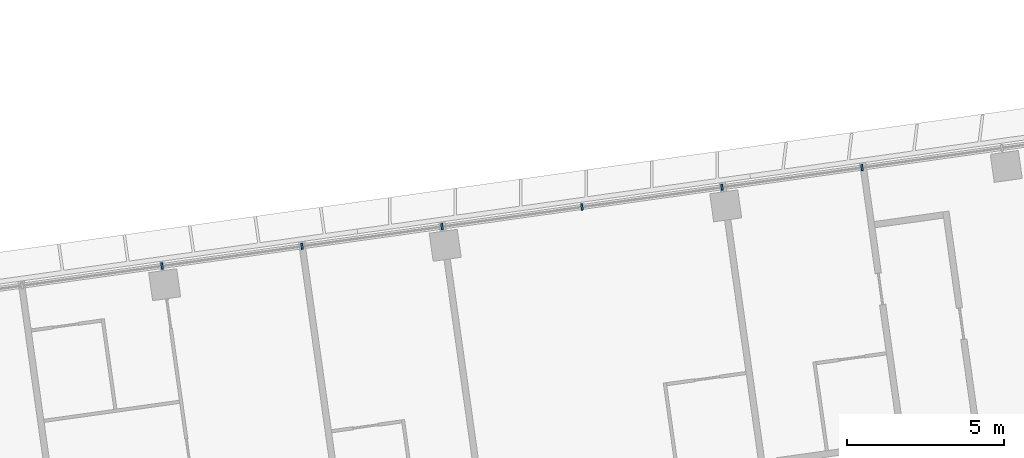
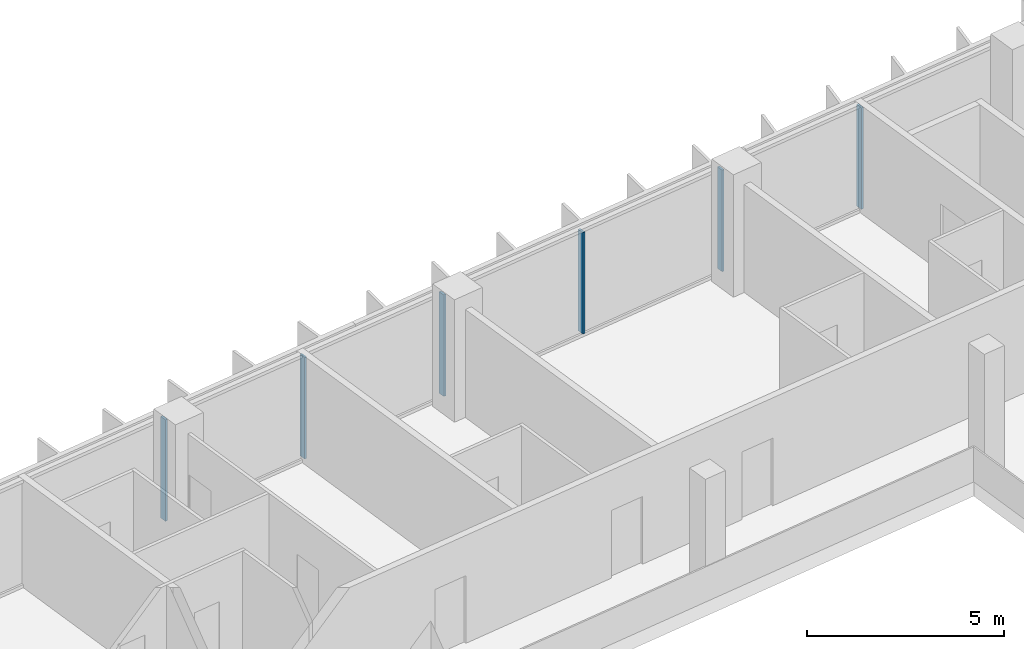
# One storey, part 10 of 25: 6 members, 1 element without a shape of its own.
"""IFC4 building model written with IfcOpenShell, lengths in metres."""

from ifc_helpers import new_model, si_unit, direction, frame, origin, origin_2d, place, context, subcontext, project, spatial, rectangle, extrude, material, material_profile, profile_set, type_object, element, aggregate, save


model = new_model("IFC4")

# Units and contexts
model_context = context("Model", 3, precision=1e-05, world=origin(), true_north=direction((0.0, 1.0)))
body_context = subcontext(model_context, "Body", "Model", "MODEL_VIEW")
ifc_project = project(units=[si_unit("LENGTHUNIT", "METRE"), si_unit("AREAUNIT", "SQUARE_METRE"), si_unit("VOLUMEUNIT", "CUBIC_METRE"), si_unit("PLANEANGLEUNIT", "RADIAN"), si_unit("MASSUNIT", "GRAM", prefix="KILO")], contexts=[model_context])

# Site, building, storey
site_placement = place(None, origin())
site = spatial("IfcSite", under=ifc_project, at=site_placement, CompositionType="ELEMENT")
building_placement = place(site_placement, origin())
building = spatial("IfcBuilding", under=site, at=building_placement, Name="Mirante Cascada Hotel Towers", CompositionType="ELEMENT")
storey_placement = place(building_placement, frame((0.0, 0.0, 129.1)))
storey = spatial("IfcBuildingStorey", under=building, at=storey_placement, Name="L29", CompositionType="ELEMENT", Elevation=129.1)

# Curtain wall, members
ifc_material_1 = material(Name="Aluminium mullion and transom frame with clear laminated glass", Category="aluminium")
curtain_wall_type = type_object("IfcCurtainWallType", Name="Ribbon curtain wall ECW1", PredefinedType="NOTDEFINED", material=ifc_material_1)
curtain_wall_placement = place(storey_placement, origin())
curtain_wall = element("IfcCurtainWall", 1, at=curtain_wall_placement, inside=storey, type_object=curtain_wall_type, Name="Front ribbon wall T2 L29", PredefinedType="NOTDEFINED")
ifc_material_2 = material(Name="Anodised aluminium extrusion", Category="aluminium")
ifc_material_profile = material_profile(ifc_material_2, rectangle(XDim=0.2, YDim=0.065, at=origin_2d()), Name="ECW1 MULLION 65x200")
ifc_profile_set = profile_set([ifc_material_profile], Name="Anodised aluminium extrusion")
member_type = type_object("IfcMemberType", Name="ECW1 mullion 65x200", PredefinedType="MULLION", material=ifc_profile_set)
member_1_placement = place(storey_placement, frame((85.2633, 24.802, 0.1), z_axis=(0.0, 0.0, 1.0), x_axis=(0.1391731, -0.9902681, 0.0)))
member_1 = element("IfcMember", 2, at=member_1_placement, type_object=member_type, Name="ECW1 mullion 3", PredefinedType="MULLION", context=body_context, shape_type="SweptSolid", body=[
    extrude(rectangle(XDim=0.2, YDim=0.065, at=origin_2d()), origin(), (0.0, 0.0, 1.0), 3.15),
])
member_2_placement = place(storey_placement, frame((80.8159, 24.177, 0.1), z_axis=(0.0, 0.0, 1.0), x_axis=(0.1391731, -0.9902681, 0.0)))
member_2 = element("IfcMember", 3, at=member_2_placement, type_object=member_type, Name="ECW1 mullion 4", PredefinedType="MULLION", context=body_context, shape_type="SweptSolid", body=[
    extrude(rectangle(XDim=0.2, YDim=0.065, at=origin_2d()), origin(), (0.0, 0.0, 1.0), 3.15),
])
member_3_placement = place(storey_placement, frame((76.3685, 23.5519, 0.1), z_axis=(0.0, 0.0, 1.0), x_axis=(0.1391731, -0.9902681, 0.0)))
member_3 = element("IfcMember", 4, at=member_3_placement, type_object=member_type, Name="ECW1 mullion 5", PredefinedType="MULLION", context=body_context, shape_type="SweptSolid", body=[
    extrude(rectangle(XDim=0.2, YDim=0.065, at=origin_2d()), origin(), (0.0, 0.0, 1.0), 3.15),
])
member_4_placement = place(storey_placement, frame((71.9211, 22.9269, 0.1), z_axis=(0.0, 0.0, 1.0), x_axis=(0.1391731, -0.9902681, 0.0)))
member_4 = element("IfcMember", 5, at=member_4_placement, type_object=member_type, Name="ECW1 mullion 6", PredefinedType="MULLION", context=body_context, shape_type="SweptSolid", body=[
    extrude(rectangle(XDim=0.2, YDim=0.065, at=origin_2d()), origin(), (0.0, 0.0, 1.0), 3.15),
])
member_5_placement = place(storey_placement, frame((67.4737, 22.3018, 0.1), z_axis=(0.0, 0.0, 1.0), x_axis=(0.1391731, -0.9902681, 0.0)))
member_5 = element("IfcMember", 6, at=member_5_placement, type_object=member_type, Name="ECW1 mullion 7", PredefinedType="MULLION", context=body_context, shape_type="SweptSolid", body=[
    extrude(rectangle(XDim=0.2, YDim=0.065, at=origin_2d()), origin(), (0.0, 0.0, 1.0), 3.15),
])
member_6_placement = place(storey_placement, frame((63.0262, 21.6768, 0.1), z_axis=(0.0, 0.0, 1.0), x_axis=(0.1391731, -0.9902681, 0.0)))
member_6 = element("IfcMember", 7, at=member_6_placement, type_object=member_type, Name="ECW1 mullion 8", PredefinedType="MULLION", context=body_context, shape_type="SweptSolid", body=[
    extrude(rectangle(XDim=0.2, YDim=0.065, at=origin_2d()), origin(), (0.0, 0.0, 1.0), 3.15),
])
aggregate(curtain_wall, [member_1, member_2, member_3, member_4, member_5, member_6])

save(model, "model.ifc")
